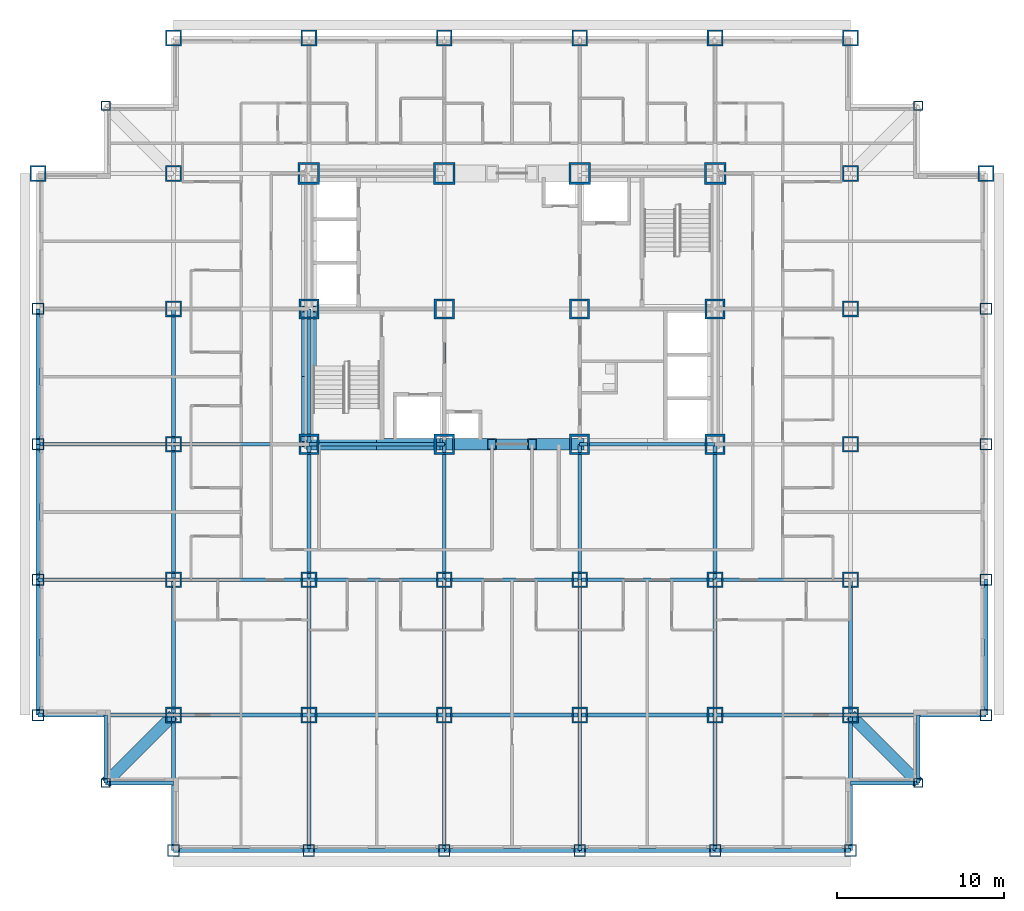
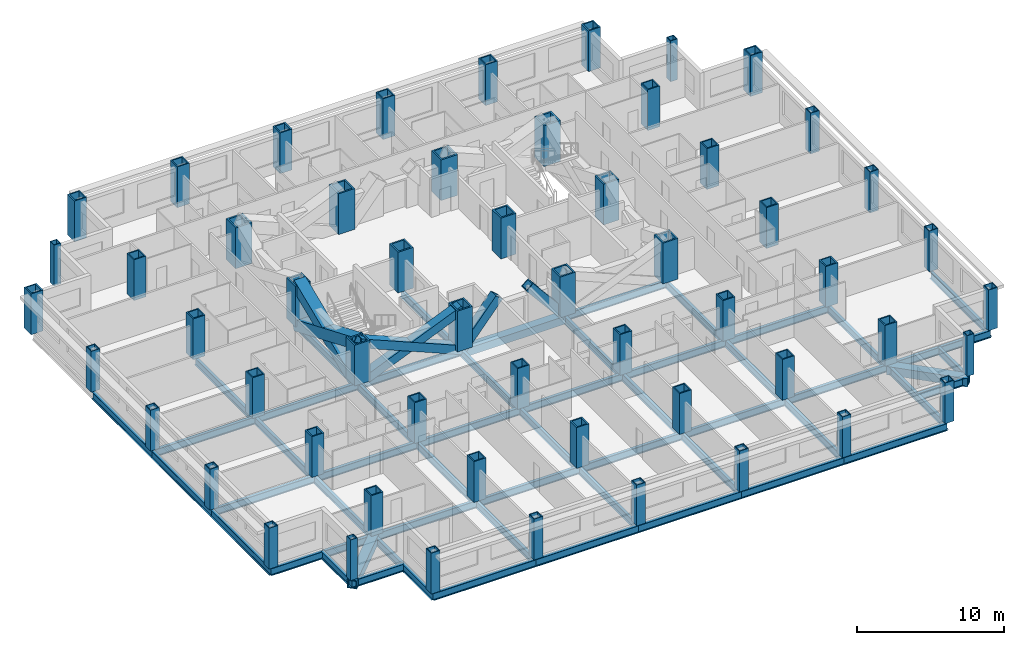
# One storey, part 1 of 12: 56 columns, 53 beams, 6 members.
"""IFC4 building model written with IfcOpenShell, lengths in metres."""

from ifc_helpers import new_model, si_unit, direction, frame, origin, origin_2d, place, context, subcontext, project, spatial, hollow_rectangle, i_section, extrude, material, material_profile, profile_set, type_object, element, save


model = new_model("IFC4")

# Units and contexts
model_context = context("Model", 3, precision=1e-05, world=origin(), true_north=direction((0.0, 1.0)))
body_context = subcontext(model_context, "Body", "Model", "MODEL_VIEW")
ifc_project = project(units=[si_unit("LENGTHUNIT", "METRE"), si_unit("AREAUNIT", "SQUARE_METRE"), si_unit("VOLUMEUNIT", "CUBIC_METRE"), si_unit("PLANEANGLEUNIT", "RADIAN"), si_unit("MASSUNIT", "GRAM", prefix="KILO")], contexts=[model_context])

# Site, building, storey
site_placement = place(None, origin())
site = spatial("IfcSite", under=ifc_project, at=site_placement, CompositionType="ELEMENT")
building_placement = place(site_placement, origin())
building = spatial("IfcBuilding", under=site, at=building_placement, Name="Kopane Lantern Tower", CompositionType="ELEMENT")
storey_placement = place(building_placement, frame((0.0, 0.0, 36.39990234375)))
storey = spatial("IfcBuildingStorey", under=building, at=storey_placement, Name="L07", CompositionType="ELEMENT", Elevation=36.39990234375)

# Columns
ifc_material_1 = material(Name="Steel S355JR", Category="steel")
ifc_material_profile_1 = material_profile(ifc_material_1, hollow_rectangle(XDim=1.199951171875, YDim=1.199951171875, WallThickness=0.1201171875, at=origin_2d()), Name="BOX 1200x1200x120")
ifc_profile_set_1 = profile_set([ifc_material_profile_1], Name="Steel S355JR")
column_type_1 = type_object("IfcColumnType", Name="COLUMN BOX 1200x1200x120", PredefinedType="COLUMN", material=ifc_profile_set_1)
for number, where, z_axis, x_axis, name in (
    (1, (16.199951171875, 24.300048828125, 0.0), (0.0, 0.0, 1.0), (1.0, 0.0, 0.0), "Column 4/E L07"),
    (2, (16.199951171875, 32.39990234375, 0.0), (0.0, 0.0, 1.0), (1.0, 0.0, 0.0), "Column 4/F L07"),
    (3, (24.300048828125, 24.300048828125, 0.0), (0.0, 0.0, 1.0), (1.0, 0.0, 0.0), "Column 5/E L07"),
    (4, (24.300048828125, 32.39990234375, 0.0), (0.0, 0.0, 1.0), (1.0, 0.0, 0.0), "Column 5/F L07"),
    (5, (32.39990234375, 24.300048828125, 0.0), (0.0, 0.0, 1.0), (1.0, 0.0, 0.0), "Column 6/E L07"),
    (6, (32.39990234375, 32.39990234375, 0.0), (0.0, 0.0, 1.0), (1.0, 0.0, 0.0), "Column 6/F L07"),
    (7, (40.5, 24.300048828125, 0.0), (0.0, 0.0, 1.0), (1.0, 0.0, 0.0), "Column 7/E L07"),
    (8, (40.5, 32.39990234375, 0.0), (0.0, 0.0, 1.0), (1.0, 0.0, 0.0), "Column 7/F L07"),
):
    element("IfcColumn", number, at=place(storey_placement, frame(where, z_axis=z_axis, x_axis=x_axis)), inside=storey, type_object=column_type_1, Name=name, PredefinedType="COLUMN", context=body_context, shape_type="SweptSolid", body=[
        extrude(hollow_rectangle(XDim=1.199951171875, YDim=1.199951171875, WallThickness=0.1201171875, at=origin_2d()), origin(), (0.0, 0.0, 1.0), 3.400146484375),
    ])
ifc_material_2 = material(Name="Steel S355JR", Category="steel")
ifc_material_profile_2 = material_profile(ifc_material_2, hollow_rectangle(XDim=1.300048828125, YDim=1.300048828125, WallThickness=0.1298828125, at=origin_2d()), Name="BOX 1300x1300x130")
ifc_profile_set_2 = profile_set([ifc_material_profile_2], Name="Steel S355JR")
column_type_2 = type_object("IfcColumnType", Name="COLUMN BOX 1300x1300x130", PredefinedType="COLUMN", material=ifc_profile_set_2)
for number, where, z_axis, x_axis, name in (
    (9, (16.199951171875, 40.5, 0.0), (0.0, 0.0, 1.0), (1.0, 0.0, 0.0), "Column 4/G L07"),
    (10, (24.300048828125, 40.5, 0.0), (0.0, 0.0, 1.0), (1.0, 0.0, 0.0), "Column 5/G L07"),
    (11, (32.39990234375, 40.5, 0.0), (0.0, 0.0, 1.0), (1.0, 0.0, 0.0), "Column 6/G L07"),
    (12, (40.5, 40.5, 0.0), (0.0, 0.0, 1.0), (1.0, 0.0, 0.0), "Column 7/G L07"),
):
    element("IfcColumn", number, at=place(storey_placement, frame(where, z_axis=z_axis, x_axis=x_axis)), inside=storey, type_object=column_type_2, Name=name, PredefinedType="COLUMN", context=body_context, shape_type="SweptSolid", body=[
        extrude(hollow_rectangle(XDim=1.300048828125, YDim=1.300048828125, WallThickness=0.1298828125, at=origin_2d()), origin(), (0.0, 0.0, 1.0), 3.400146484375),
    ])
ifc_material_3 = material(Name="Steel S355JR", Category="steel")
ifc_material_profile_3 = material_profile(ifc_material_3, hollow_rectangle(XDim=0.550048828125, YDim=0.550048828125, WallThickness=0.050048828125, at=origin_2d()), Name="BOX 550x550x50")
ifc_profile_set_3 = profile_set([ifc_material_profile_3], Name="Steel S355JR")
column_type_3 = type_object("IfcColumnType", Name="COLUMN BOX 550x550x50", PredefinedType="COLUMN", material=ifc_profile_set_3)
for number, where, z_axis, x_axis, name in (
    (13, (4.050048828125, 4.050048828125, 0.0), (0.0, 0.0, 1.0), (1.0, 0.0, 0.0), "Column 4.05/4.05 L07"),
    (14, (4.050048828125, 44.550048828125, 0.0), (0.0, 0.0, 1.0), (1.0, 0.0, 0.0), "Column 4.05/44.55 L07"),
    (15, (52.64990234375, 4.050048828125, 0.0), (0.0, 0.0, 1.0), (1.0, 0.0, 0.0), "Column 52.65/4.05 L07"),
    (16, (52.64990234375, 44.550048828125, 0.0), (0.0, 0.0, 1.0), (1.0, 0.0, 0.0), "Column 52.65/44.55 L07"),
):
    element("IfcColumn", number, at=place(storey_placement, frame(where, z_axis=z_axis, x_axis=x_axis)), inside=storey, type_object=column_type_3, Name=name, PredefinedType="COLUMN", context=body_context, shape_type="SweptSolid", body=[
        extrude(hollow_rectangle(XDim=0.550048828125, YDim=0.550048828125, WallThickness=0.050048828125, at=origin_2d()), origin(), (0.0, 0.0, 1.0), 3.400146484375),
    ])
ifc_material_4 = material(Name="Steel S355JR", Category="steel")
ifc_material_profile_4 = material_profile(ifc_material_4, hollow_rectangle(XDim=0.699951171875, YDim=0.699951171875, WallThickness=0.06005859375, at=origin_2d()), Name="BOX 700x700x60")
ifc_profile_set_4 = profile_set([ifc_material_profile_4], Name="Steel S355JR")
column_type_4 = type_object("IfcColumnType", Name="COLUMN BOX 700x700x60", PredefinedType="COLUMN", material=ifc_profile_set_4)
for number, where, z_axis, x_axis, name in (
    (17, (0.0, 8.10009765625, 0.0), (0.0, 0.0, 1.0), (1.0, 0.0, 0.0), "Column 2/C L07"),
    (18, (0.0, 16.199951171875, 0.0), (0.0, 0.0, 1.0), (1.0, 0.0, 0.0), "Column 2/D L07"),
    (19, (0.0, 24.300048828125, 0.0), (0.0, 0.0, 1.0), (1.0, 0.0, 0.0), "Column 2/E L07"),
    (20, (0.0, 32.39990234375, 0.0), (0.0, 0.0, 1.0), (1.0, 0.0, 0.0), "Column 2/F L07"),
    (21, (8.10009765625, 0.0, 0.0), (0.0, 0.0, 1.0), (1.0, 0.0, 0.0), "Column 3/B L07"),
    (22, (16.199951171875, 0.0, 0.0), (0.0, 0.0, 1.0), (1.0, 0.0, 0.0), "Column 4/B L07"),
    (23, (24.300048828125, 0.0, 0.0), (0.0, 0.0, 1.0), (1.0, 0.0, 0.0), "Column 5/B L07"),
    (24, (32.39990234375, 0.0, 0.0), (0.0, 0.0, 1.0), (1.0, 0.0, 0.0), "Column 6/B L07"),
    (25, (40.5, 0.0, 0.0), (0.0, 0.0, 1.0), (1.0, 0.0, 0.0), "Column 7/B L07"),
    (26, (48.60009765625, 0.0, 0.0), (0.0, 0.0, 1.0), (1.0, 0.0, 0.0), "Column 8/B L07"),
    (27, (56.699951171875, 8.10009765625, 0.0), (0.0, 0.0, 1.0), (1.0, 0.0, 0.0), "Column 9/C L07"),
    (28, (56.699951171875, 16.199951171875, 0.0), (0.0, 0.0, 1.0), (1.0, 0.0, 0.0), "Column 9/D L07"),
    (29, (56.699951171875, 24.300048828125, 0.0), (0.0, 0.0, 1.0), (1.0, 0.0, 0.0), "Column 9/E L07"),
    (30, (56.699951171875, 32.39990234375, 0.0), (0.0, 0.0, 1.0), (1.0, 0.0, 0.0), "Column 9/F L07"),
):
    element("IfcColumn", number, at=place(storey_placement, frame(where, z_axis=z_axis, x_axis=x_axis)), inside=storey, type_object=column_type_4, Name=name, PredefinedType="COLUMN", context=body_context, shape_type="SweptSolid", body=[
        extrude(hollow_rectangle(XDim=0.699951171875, YDim=0.699951171875, WallThickness=0.06005859375, at=origin_2d()), origin(), (0.0, 0.0, 1.0), 3.400146484375),
    ])
ifc_material_5 = material(Name="Steel S355JR", Category="steel")
ifc_material_profile_5 = material_profile(ifc_material_5, hollow_rectangle(XDim=0.949951171875, YDim=0.949951171875, WallThickness=0.094970703125, at=origin_2d()), Name="BOX 950x950x95")
ifc_profile_set_5 = profile_set([ifc_material_profile_5], Name="Steel S355JR")
column_type_5 = type_object("IfcColumnType", Name="COLUMN BOX 950x950x95", PredefinedType="COLUMN", material=ifc_profile_set_5)
for number, where, z_axis, x_axis, name in (
    (31, (0.0, 40.5, 0.0), (0.0, 0.0, 1.0), (1.0, 0.0, 0.0), "Column 2/G L07"),
    (32, (8.10009765625, 8.10009765625, 0.0), (0.0, 0.0, 1.0), (1.0, 0.0, 0.0), "Column 3/C L07"),
    (33, (8.10009765625, 16.199951171875, 0.0), (0.0, 0.0, 1.0), (1.0, 0.0, 0.0), "Column 3/D L07"),
    (34, (8.10009765625, 24.300048828125, 0.0), (0.0, 0.0, 1.0), (1.0, 0.0, 0.0), "Column 3/E L07"),
    (35, (8.10009765625, 32.39990234375, 0.0), (0.0, 0.0, 1.0), (1.0, 0.0, 0.0), "Column 3/F L07"),
    (36, (8.10009765625, 40.5, 0.0), (0.0, 0.0, 1.0), (1.0, 0.0, 0.0), "Column 3/G L07"),
    (37, (8.10009765625, 48.60009765625, 0.0), (0.0, 0.0, 1.0), (1.0, 0.0, 0.0), "Column 3/H L07"),
    (38, (16.199951171875, 8.10009765625, 0.0), (0.0, 0.0, 1.0), (1.0, 0.0, 0.0), "Column 4/C L07"),
    (39, (16.199951171875, 16.199951171875, 0.0), (0.0, 0.0, 1.0), (1.0, 0.0, 0.0), "Column 4/D L07"),
    (40, (16.199951171875, 48.60009765625, 0.0), (0.0, 0.0, 1.0), (1.0, 0.0, 0.0), "Column 4/H L07"),
    (41, (24.300048828125, 8.10009765625, 0.0), (0.0, 0.0, 1.0), (1.0, 0.0, 0.0), "Column 5/C L07"),
    (42, (24.300048828125, 16.199951171875, 0.0), (0.0, 0.0, 1.0), (1.0, 0.0, 0.0), "Column 5/D L07"),
    (43, (24.300048828125, 48.60009765625, 0.0), (0.0, 0.0, 1.0), (1.0, 0.0, 0.0), "Column 5/H L07"),
    (44, (32.39990234375, 8.10009765625, 0.0), (0.0, 0.0, 1.0), (1.0, 0.0, 0.0), "Column 6/C L07"),
    (45, (32.39990234375, 16.199951171875, 0.0), (0.0, 0.0, 1.0), (1.0, 0.0, 0.0), "Column 6/D L07"),
    (46, (32.39990234375, 48.60009765625, 0.0), (0.0, 0.0, 1.0), (1.0, 0.0, 0.0), "Column 6/H L07"),
    (47, (40.5, 8.10009765625, 0.0), (0.0, 0.0, 1.0), (1.0, 0.0, 0.0), "Column 7/C L07"),
    (48, (40.5, 16.199951171875, 0.0), (0.0, 0.0, 1.0), (1.0, 0.0, 0.0), "Column 7/D L07"),
    (49, (40.5, 48.60009765625, 0.0), (0.0, 0.0, 1.0), (1.0, 0.0, 0.0), "Column 7/H L07"),
    (50, (48.60009765625, 8.10009765625, 0.0), (0.0, 0.0, 1.0), (1.0, 0.0, 0.0), "Column 8/C L07"),
    (51, (48.60009765625, 16.199951171875, 0.0), (0.0, 0.0, 1.0), (1.0, 0.0, 0.0), "Column 8/D L07"),
    (52, (48.60009765625, 24.300048828125, 0.0), (0.0, 0.0, 1.0), (1.0, 0.0, 0.0), "Column 8/E L07"),
    (53, (48.60009765625, 32.39990234375, 0.0), (0.0, 0.0, 1.0), (1.0, 0.0, 0.0), "Column 8/F L07"),
    (54, (48.60009765625, 40.5, 0.0), (0.0, 0.0, 1.0), (1.0, 0.0, 0.0), "Column 8/G L07"),
    (55, (48.60009765625, 48.60009765625, 0.0), (0.0, 0.0, 1.0), (1.0, 0.0, 0.0), "Column 8/H L07"),
    (56, (56.699951171875, 40.5, 0.0), (0.0, 0.0, 1.0), (1.0, 0.0, 0.0), "Column 9/G L07"),
):
    element("IfcColumn", number, at=place(storey_placement, frame(where, z_axis=z_axis, x_axis=x_axis)), inside=storey, type_object=column_type_5, Name=name, PredefinedType="COLUMN", context=body_context, shape_type="SweptSolid", body=[
        extrude(hollow_rectangle(XDim=0.949951171875, YDim=0.949951171875, WallThickness=0.094970703125, at=origin_2d()), origin(), (0.0, 0.0, 1.0), 3.400146484375),
    ])

# Members
ifc_material_6 = material(Name="Steel S355JR", Category="steel")
ifc_material_profile_6 = material_profile(ifc_material_6, hollow_rectangle(XDim=0.699951171875, YDim=0.699951171875, WallThickness=0.06005859375, at=origin_2d()), Name="BOX 700x700x60")
ifc_profile_set_6 = profile_set([ifc_material_profile_6], Name="Steel S355JR")
member_type_1 = type_object("IfcMemberType", Name="BRACE BOX 700x700x60", PredefinedType="BRACE", material=ifc_profile_set_6)
for number, where, z_axis, x_axis, name in (
    (57, (16.199951171875, 24.300048828125, -0.2099609375), (0.92205908274, 0.0, 0.387049154419), (0.0, 1.0, 0.0), "Core brace L07"),
    (58, (24.300048828125, 24.300048828125, -0.2099609375), (-0.92205908274, 0.0, 0.387049154419), (0.0, -1.0, 0.0), "Core brace L07"),
):
    element("IfcMember", number, at=place(storey_placement, frame(where, z_axis=z_axis, x_axis=x_axis)), inside=storey, type_object=member_type_1, Name=name, PredefinedType="BRACE", context=body_context, shape_type="SweptSolid", body=[
        extrude(hollow_rectangle(XDim=0.699951171875, YDim=0.699951171875, WallThickness=0.06005859375, at=origin_2d()), origin(), (0.0, 0.0, 1.0), 8.784912109375),
    ])
for number, where, z_axis, x_axis, name in (
    (59, (24.300048828125, 24.300048828125, -0.2099609375), (0.642363165114, 0.0, 0.766400394118), (0.0, 1.0, 0.0), "Core brace L07"),
    (60, (32.39990234375, 24.300048828125, -0.2099609375), (-0.642363165114, 0.0, 0.766400394118), (0.0, -1.0, 0.0), "Core brace L07"),
):
    element("IfcMember", number, at=place(storey_placement, frame(where, z_axis=z_axis, x_axis=x_axis)), inside=storey, type_object=member_type_1, Name=name, PredefinedType="BRACE", context=body_context, shape_type="SweptSolid", body=[
        extrude(hollow_rectangle(XDim=0.699951171875, YDim=0.699951171875, WallThickness=0.06005859375, at=origin_2d()), origin(), (0.0, 0.0, 1.0), 4.4365234375),
    ])
ifc_material_7 = material(Name="Steel S355JR", Category="steel")
ifc_material_profile_7 = material_profile(ifc_material_7, hollow_rectangle(XDim=0.89990234375, YDim=0.89990234375, WallThickness=0.090087890625, at=origin_2d()), Name="BOX 900x900x90")
ifc_profile_set_7 = profile_set([ifc_material_profile_7], Name="Steel S355JR")
member_type_2 = type_object("IfcMemberType", Name="BRACE BOX 900x900x90", PredefinedType="BRACE", material=ifc_profile_set_7)
for number, where, z_axis, x_axis, name in (
    (61, (16.199951171875, 24.300048828125, -0.2099609375), (0.0, 0.92205491925, 0.387059072864), (-1.0, 0.0, 0.0), "Core brace L07"),
    (62, (16.199951171875, 32.39990234375, -0.2099609375), (0.0, -0.92205491925, 0.387059072864), (1.0, 0.0, 0.0), "Core brace L07"),
):
    element("IfcMember", number, at=place(storey_placement, frame(where, z_axis=z_axis, x_axis=x_axis)), inside=storey, type_object=member_type_2, Name=name, PredefinedType="BRACE", context=body_context, shape_type="SweptSolid", body=[
        extrude(hollow_rectangle(XDim=0.89990234375, YDim=0.89990234375, WallThickness=0.090087890625, at=origin_2d()), origin(), (0.0, 0.0, 1.0), 8.78466796875),
    ])

# Beams
ifc_material_8 = material(Name="Steel S355JR", Category="steel")
ifc_material_profile_8 = material_profile(ifc_material_8, i_section(OverallWidth=0.22900390625, OverallDepth=0.6123046875, WebThickness=0.011962890625, FlangeThickness=0.01953125, FilletRadius=0.0126953125, at=origin_2d()), Name="UB 610x229x125")
ifc_profile_set_8 = profile_set([ifc_material_profile_8], Name="Steel S355JR")
beam_type_1 = type_object("IfcBeamType", Name="CORE BEAM UB 610x229x125", PredefinedType="BEAM", material=ifc_profile_set_8)
beam_1_placement = place(storey_placement, frame((24.300048828125, 24.300048828125, -0.51611328125), z_axis=(0.0, 1.0, 0.0), x_axis=(-1.0, 0.0, 0.0)))
element("IfcBeam", 63, at=beam_1_placement, inside=storey, type_object=beam_type_1, Name="Core Beam L07", PredefinedType="BEAM", context=body_context, shape_type="SweptSolid", body=[
    extrude(i_section(OverallWidth=0.22900390625, OverallDepth=0.6123046875, WebThickness=0.011962890625, FlangeThickness=0.01953125, FilletRadius=0.0126953125, at=origin_2d()), origin(), (0.0, 0.0, 1.0), 8.099853515625),
])
ifc_material_9 = material(Name="Steel S355JR", Category="steel")
ifc_material_profile_9 = material_profile(ifc_material_9, hollow_rectangle(XDim=0.699951171875, YDim=0.699951171875, WallThickness=0.06005859375, at=origin_2d()), Name="BOX 700x700x60")
ifc_profile_set_9 = profile_set([ifc_material_profile_9], Name="Steel S355JR")
beam_type_2 = type_object("IfcBeamType", Name="CORNER TIE BEAM BOX 700x700x60", PredefinedType="BEAM", material=ifc_profile_set_9)
for number, where, z_axis, x_axis, name in (
    (64, (4.050048828125, 4.050048828125, -0.559814453125), (0.707106781187, 0.707106781187, 0.0), (-0.707106781187, 0.707106781187, 0.0), "Corner Tie Beam L07"),
    (65, (52.64990234375, 4.050048828125, -0.559814453125), (-0.707085467703, 0.707128094028, 0.0), (-0.707128094028, -0.707085467703, 0.0), "Corner Tie Beam L07"),
):
    element("IfcBeam", number, at=place(storey_placement, frame(where, z_axis=z_axis, x_axis=x_axis)), inside=storey, type_object=beam_type_2, Name=name, PredefinedType="BEAM", context=body_context, shape_type="SweptSolid", body=[
        extrude(hollow_rectangle(XDim=0.699951171875, YDim=0.699951171875, WallThickness=0.06005859375, at=origin_2d()), origin(), (0.0, 0.0, 1.0), 5.7275390625),
    ])
ifc_material_10 = material(Name="Steel S355JR", Category="steel")
ifc_material_profile_10 = material_profile(ifc_material_10, i_section(OverallWidth=0.22900390625, OverallDepth=0.6123046875, WebThickness=0.011962890625, FlangeThickness=0.01953125, FilletRadius=0.0126953125, at=origin_2d()), Name="UB 610x229x125")
ifc_profile_set_10 = profile_set([ifc_material_profile_10], Name="Steel S355JR")
beam_type_3 = type_object("IfcBeamType", Name="EDGE BEAM UB 610x229x125", PredefinedType="BEAM", material=ifc_profile_set_10)
for number, where, z_axis, x_axis, name in (
    (66, (4.050048828125, 4.050048828125, -0.51611328125), (0.0, 1.0, 0.0), (-1.0, 0.0, 0.0), "Edge Beam L07"),
    (67, (4.050048828125, 4.050048828125, -0.51611328125), (1.0, 0.0, 0.0), (0.0, 1.0, 0.0), "Edge Beam L07"),
):
    element("IfcBeam", number, at=place(storey_placement, frame(where, z_axis=z_axis, x_axis=x_axis)), inside=storey, type_object=beam_type_3, Name=name, PredefinedType="BEAM", context=body_context, shape_type="SweptSolid", body=[
        extrude(i_section(OverallWidth=0.22900390625, OverallDepth=0.6123046875, WebThickness=0.011962890625, FlangeThickness=0.01953125, FilletRadius=0.0126953125, at=origin_2d()), origin(), (0.0, 0.0, 1.0), 4.050048828125),
    ])
beam_2_placement = place(storey_placement, frame((52.64990234375, 4.050048828125, -0.51611328125), z_axis=(-1.0, 0.0, 0.0), x_axis=(0.0, -1.0, 0.0)))
element("IfcBeam", 68, at=beam_2_placement, inside=storey, type_object=beam_type_3, Name="Edge Beam L07", PredefinedType="BEAM", context=body_context, shape_type="SweptSolid", body=[
    extrude(i_section(OverallWidth=0.22900390625, OverallDepth=0.6123046875, WebThickness=0.011962890625, FlangeThickness=0.01953125, FilletRadius=0.0126953125, at=origin_2d()), origin(), (0.0, 0.0, 1.0), 4.0498046875),
])
beam_3_placement = place(storey_placement, frame((52.64990234375, 4.050048828125, -0.51611328125), z_axis=(0.0, 1.0, 0.0), x_axis=(-1.0, 0.0, 0.0)))
element("IfcBeam", 69, at=beam_3_placement, inside=storey, type_object=beam_type_3, Name="Edge Beam L07", PredefinedType="BEAM", context=body_context, shape_type="SweptSolid", body=[
    extrude(i_section(OverallWidth=0.22900390625, OverallDepth=0.6123046875, WebThickness=0.011962890625, FlangeThickness=0.01953125, FilletRadius=0.0126953125, at=origin_2d()), origin(), (0.0, 0.0, 1.0), 4.050048828125),
])
ifc_material_11 = material(Name="Steel S355JR", Category="steel")
ifc_material_profile_11 = material_profile(ifc_material_11, i_section(OverallWidth=0.22900390625, OverallDepth=0.6123046875, WebThickness=0.011962890625, FlangeThickness=0.01953125, FilletRadius=0.0126953125, at=origin_2d()), Name="UB 610x229x125")
ifc_profile_set_11 = profile_set([ifc_material_profile_11], Name="Steel S355JR")
beam_type_4 = type_object("IfcBeamType", Name="GIRDER UB 610x229x125", PredefinedType="BEAM", material=ifc_profile_set_11)
beam_4_placement = place(storey_placement, frame((0.0, 8.10009765625, -0.51611328125), z_axis=(0.0, 1.0, 0.0), x_axis=(-1.0, 0.0, 0.0)))
element("IfcBeam", 70, at=beam_4_placement, inside=storey, type_object=beam_type_4, Name="Girder L07", PredefinedType="BEAM", context=body_context, shape_type="SweptSolid", body=[
    extrude(i_section(OverallWidth=0.22900390625, OverallDepth=0.6123046875, WebThickness=0.011962890625, FlangeThickness=0.01953125, FilletRadius=0.0126953125, at=origin_2d()), origin(), (0.0, 0.0, 1.0), 8.099853515625),
])
for number, where, z_axis, x_axis, name in (
    (71, (0.0, 8.10009765625, -0.51611328125), (1.0, 0.0, 0.0), (0.0, 1.0, 0.0), "Girder L07"),
    (72, (0.0, 16.199951171875, -0.51611328125), (0.0, 1.0, 0.0), (-1.0, 0.0, 0.0), "Girder L07"),
    (73, (0.0, 16.199951171875, -0.51611328125), (1.0, 0.0, 0.0), (0.0, 1.0, 0.0), "Girder L07"),
):
    element("IfcBeam", number, at=place(storey_placement, frame(where, z_axis=z_axis, x_axis=x_axis)), inside=storey, type_object=beam_type_4, Name=name, PredefinedType="BEAM", context=body_context, shape_type="SweptSolid", body=[
        extrude(i_section(OverallWidth=0.22900390625, OverallDepth=0.6123046875, WebThickness=0.011962890625, FlangeThickness=0.01953125, FilletRadius=0.0126953125, at=origin_2d()), origin(), (0.0, 0.0, 1.0), 8.10009765625),
    ])
beam_5_placement = place(storey_placement, frame((0.0, 24.300048828125, -0.51611328125), z_axis=(0.0, 1.0, 0.0), x_axis=(-1.0, 0.0, 0.0)))
element("IfcBeam", 74, at=beam_5_placement, inside=storey, type_object=beam_type_4, Name="Girder L07", PredefinedType="BEAM", context=body_context, shape_type="SweptSolid", body=[
    extrude(i_section(OverallWidth=0.22900390625, OverallDepth=0.6123046875, WebThickness=0.011962890625, FlangeThickness=0.01953125, FilletRadius=0.0126953125, at=origin_2d()), origin(), (0.0, 0.0, 1.0), 8.099853515625),
])
for number, where, z_axis, x_axis, name in (
    (75, (0.0, 24.300048828125, -0.51611328125), (1.0, 0.0, 0.0), (0.0, 1.0, 0.0), "Girder L07"),
    (76, (8.10009765625, 0.0, -0.51611328125), (0.0, 1.0, 0.0), (-1.0, 0.0, 0.0), "Girder L07"),
):
    element("IfcBeam", number, at=place(storey_placement, frame(where, z_axis=z_axis, x_axis=x_axis)), inside=storey, type_object=beam_type_4, Name=name, PredefinedType="BEAM", context=body_context, shape_type="SweptSolid", body=[
        extrude(i_section(OverallWidth=0.22900390625, OverallDepth=0.6123046875, WebThickness=0.011962890625, FlangeThickness=0.01953125, FilletRadius=0.0126953125, at=origin_2d()), origin(), (0.0, 0.0, 1.0), 8.10009765625),
    ])
for number, where, z_axis, x_axis, name in (
    (77, (8.10009765625, 0.0, -0.51611328125), (1.0, 0.0, 0.0), (0.0, 1.0, 0.0), "Girder L07"),
    (78, (8.10009765625, 8.10009765625, -0.51611328125), (0.0, 1.0, 0.0), (-1.0, 0.0, 0.0), "Girder L07"),
    (79, (8.10009765625, 8.10009765625, -0.51611328125), (1.0, 0.0, 0.0), (0.0, 1.0, 0.0), "Girder L07"),
):
    element("IfcBeam", number, at=place(storey_placement, frame(where, z_axis=z_axis, x_axis=x_axis)), inside=storey, type_object=beam_type_4, Name=name, PredefinedType="BEAM", context=body_context, shape_type="SweptSolid", body=[
        extrude(i_section(OverallWidth=0.22900390625, OverallDepth=0.6123046875, WebThickness=0.011962890625, FlangeThickness=0.01953125, FilletRadius=0.0126953125, at=origin_2d()), origin(), (0.0, 0.0, 1.0), 8.099853515625),
    ])
beam_6_placement = place(storey_placement, frame((8.10009765625, 16.199951171875, -0.51611328125), z_axis=(0.0, 1.0, 0.0), x_axis=(-1.0, 0.0, 0.0)))
element("IfcBeam", 80, at=beam_6_placement, inside=storey, type_object=beam_type_4, Name="Girder L07", PredefinedType="BEAM", context=body_context, shape_type="SweptSolid", body=[
    extrude(i_section(OverallWidth=0.22900390625, OverallDepth=0.6123046875, WebThickness=0.011962890625, FlangeThickness=0.01953125, FilletRadius=0.0126953125, at=origin_2d()), origin(), (0.0, 0.0, 1.0), 8.10009765625),
])
for number, where, z_axis, x_axis, name in (
    (81, (8.10009765625, 16.199951171875, -0.51611328125), (1.0, 0.0, 0.0), (0.0, 1.0, 0.0), "Girder L07"),
    (82, (8.10009765625, 24.300048828125, -0.51611328125), (0.0, 1.0, 0.0), (-1.0, 0.0, 0.0), "Girder L07"),
    (83, (8.10009765625, 24.300048828125, -0.51611328125), (1.0, 0.0, 0.0), (0.0, 1.0, 0.0), "Girder L07"),
):
    element("IfcBeam", number, at=place(storey_placement, frame(where, z_axis=z_axis, x_axis=x_axis)), inside=storey, type_object=beam_type_4, Name=name, PredefinedType="BEAM", context=body_context, shape_type="SweptSolid", body=[
        extrude(i_section(OverallWidth=0.22900390625, OverallDepth=0.6123046875, WebThickness=0.011962890625, FlangeThickness=0.01953125, FilletRadius=0.0126953125, at=origin_2d()), origin(), (0.0, 0.0, 1.0), 8.099853515625),
    ])
for number, where, z_axis, x_axis, name in (
    (84, (16.199951171875, 0.0, -0.51611328125), (0.0, 1.0, 0.0), (-1.0, 0.0, 0.0), "Girder L07"),
    (85, (16.199951171875, 0.0, -0.51611328125), (1.0, 0.0, 0.0), (0.0, 1.0, 0.0), "Girder L07"),
):
    element("IfcBeam", number, at=place(storey_placement, frame(where, z_axis=z_axis, x_axis=x_axis)), inside=storey, type_object=beam_type_4, Name=name, PredefinedType="BEAM", context=body_context, shape_type="SweptSolid", body=[
        extrude(i_section(OverallWidth=0.22900390625, OverallDepth=0.6123046875, WebThickness=0.011962890625, FlangeThickness=0.01953125, FilletRadius=0.0126953125, at=origin_2d()), origin(), (0.0, 0.0, 1.0), 8.10009765625),
    ])
beam_7_placement = place(storey_placement, frame((16.199951171875, 8.10009765625, -0.51611328125), z_axis=(0.0, 1.0, 0.0), x_axis=(-1.0, 0.0, 0.0)))
element("IfcBeam", 86, at=beam_7_placement, inside=storey, type_object=beam_type_4, Name="Girder L07", PredefinedType="BEAM", context=body_context, shape_type="SweptSolid", body=[
    extrude(i_section(OverallWidth=0.22900390625, OverallDepth=0.6123046875, WebThickness=0.011962890625, FlangeThickness=0.01953125, FilletRadius=0.0126953125, at=origin_2d()), origin(), (0.0, 0.0, 1.0), 8.099853515625),
])
for number, where, z_axis, x_axis, name in (
    (87, (16.199951171875, 8.10009765625, -0.51611328125), (1.0, 0.0, 0.0), (0.0, 1.0, 0.0), "Girder L07"),
    (88, (16.199951171875, 16.199951171875, -0.51611328125), (0.0, 1.0, 0.0), (-1.0, 0.0, 0.0), "Girder L07"),
    (89, (16.199951171875, 16.199951171875, -0.51611328125), (1.0, 0.0, 0.0), (0.0, 1.0, 0.0), "Girder L07"),
):
    element("IfcBeam", number, at=place(storey_placement, frame(where, z_axis=z_axis, x_axis=x_axis)), inside=storey, type_object=beam_type_4, Name=name, PredefinedType="BEAM", context=body_context, shape_type="SweptSolid", body=[
        extrude(i_section(OverallWidth=0.22900390625, OverallDepth=0.6123046875, WebThickness=0.011962890625, FlangeThickness=0.01953125, FilletRadius=0.0126953125, at=origin_2d()), origin(), (0.0, 0.0, 1.0), 8.10009765625),
    ])
beam_8_placement = place(storey_placement, frame((16.199951171875, 24.300048828125, -0.51611328125), z_axis=(0.0, 1.0, 0.0), x_axis=(-1.0, 0.0, 0.0)))
element("IfcBeam", 90, at=beam_8_placement, inside=storey, type_object=beam_type_4, Name="Girder L07", PredefinedType="BEAM", context=body_context, shape_type="SweptSolid", body=[
    extrude(i_section(OverallWidth=0.22900390625, OverallDepth=0.6123046875, WebThickness=0.011962890625, FlangeThickness=0.01953125, FilletRadius=0.0126953125, at=origin_2d()), origin(), (0.0, 0.0, 1.0), 8.099853515625),
])
for number, where, z_axis, x_axis, name in (
    (91, (16.199951171875, 24.300048828125, -0.51611328125), (1.0, 0.0, 0.0), (0.0, 1.0, 0.0), "Girder L07"),
    (92, (24.300048828125, 0.0, -0.51611328125), (0.0, 1.0, 0.0), (-1.0, 0.0, 0.0), "Girder L07"),
):
    element("IfcBeam", number, at=place(storey_placement, frame(where, z_axis=z_axis, x_axis=x_axis)), inside=storey, type_object=beam_type_4, Name=name, PredefinedType="BEAM", context=body_context, shape_type="SweptSolid", body=[
        extrude(i_section(OverallWidth=0.22900390625, OverallDepth=0.6123046875, WebThickness=0.011962890625, FlangeThickness=0.01953125, FilletRadius=0.0126953125, at=origin_2d()), origin(), (0.0, 0.0, 1.0), 8.10009765625),
    ])
for number, where, z_axis, x_axis, name in (
    (93, (24.300048828125, 0.0, -0.51611328125), (1.0, 0.0, 0.0), (0.0, 1.0, 0.0), "Girder L07"),
    (94, (24.300048828125, 8.10009765625, -0.51611328125), (0.0, 1.0, 0.0), (-1.0, 0.0, 0.0), "Girder L07"),
    (95, (24.300048828125, 8.10009765625, -0.51611328125), (1.0, 0.0, 0.0), (0.0, 1.0, 0.0), "Girder L07"),
):
    element("IfcBeam", number, at=place(storey_placement, frame(where, z_axis=z_axis, x_axis=x_axis)), inside=storey, type_object=beam_type_4, Name=name, PredefinedType="BEAM", context=body_context, shape_type="SweptSolid", body=[
        extrude(i_section(OverallWidth=0.22900390625, OverallDepth=0.6123046875, WebThickness=0.011962890625, FlangeThickness=0.01953125, FilletRadius=0.0126953125, at=origin_2d()), origin(), (0.0, 0.0, 1.0), 8.099853515625),
    ])
beam_9_placement = place(storey_placement, frame((24.300048828125, 16.199951171875, -0.51611328125), z_axis=(0.0, 1.0, 0.0), x_axis=(-1.0, 0.0, 0.0)))
element("IfcBeam", 96, at=beam_9_placement, inside=storey, type_object=beam_type_4, Name="Girder L07", PredefinedType="BEAM", context=body_context, shape_type="SweptSolid", body=[
    extrude(i_section(OverallWidth=0.22900390625, OverallDepth=0.6123046875, WebThickness=0.011962890625, FlangeThickness=0.01953125, FilletRadius=0.0126953125, at=origin_2d()), origin(), (0.0, 0.0, 1.0), 8.10009765625),
])
beam_10_placement = place(storey_placement, frame((24.300048828125, 16.199951171875, -0.51611328125), z_axis=(1.0, 0.0, 0.0), x_axis=(0.0, 1.0, 0.0)))
element("IfcBeam", 97, at=beam_10_placement, inside=storey, type_object=beam_type_4, Name="Girder L07", PredefinedType="BEAM", context=body_context, shape_type="SweptSolid", body=[
    extrude(i_section(OverallWidth=0.22900390625, OverallDepth=0.6123046875, WebThickness=0.011962890625, FlangeThickness=0.01953125, FilletRadius=0.0126953125, at=origin_2d()), origin(), (0.0, 0.0, 1.0), 8.099853515625),
])
for number, where, z_axis, x_axis, name in (
    (98, (32.39990234375, 0.0, -0.51611328125), (0.0, 1.0, 0.0), (-1.0, 0.0, 0.0), "Girder L07"),
    (99, (32.39990234375, 0.0, -0.51611328125), (1.0, 0.0, 0.0), (0.0, 1.0, 0.0), "Girder L07"),
):
    element("IfcBeam", number, at=place(storey_placement, frame(where, z_axis=z_axis, x_axis=x_axis)), inside=storey, type_object=beam_type_4, Name=name, PredefinedType="BEAM", context=body_context, shape_type="SweptSolid", body=[
        extrude(i_section(OverallWidth=0.22900390625, OverallDepth=0.6123046875, WebThickness=0.011962890625, FlangeThickness=0.01953125, FilletRadius=0.0126953125, at=origin_2d()), origin(), (0.0, 0.0, 1.0), 8.10009765625),
    ])
beam_11_placement = place(storey_placement, frame((32.39990234375, 8.10009765625, -0.51611328125), z_axis=(0.0, 1.0, 0.0), x_axis=(-1.0, 0.0, 0.0)))
element("IfcBeam", 100, at=beam_11_placement, inside=storey, type_object=beam_type_4, Name="Girder L07", PredefinedType="BEAM", context=body_context, shape_type="SweptSolid", body=[
    extrude(i_section(OverallWidth=0.22900390625, OverallDepth=0.6123046875, WebThickness=0.011962890625, FlangeThickness=0.01953125, FilletRadius=0.0126953125, at=origin_2d()), origin(), (0.0, 0.0, 1.0), 8.099853515625),
])
for number, where, z_axis, x_axis, name in (
    (101, (32.39990234375, 8.10009765625, -0.51611328125), (1.0, 0.0, 0.0), (0.0, 1.0, 0.0), "Girder L07"),
    (102, (32.39990234375, 16.199951171875, -0.51611328125), (0.0, 1.0, 0.0), (-1.0, 0.0, 0.0), "Girder L07"),
    (103, (32.39990234375, 16.199951171875, -0.51611328125), (1.0, 0.0, 0.0), (0.0, 1.0, 0.0), "Girder L07"),
    (104, (32.39990234375, 24.300048828125, -0.51611328125), (1.0, 0.0, 0.0), (0.0, 1.0, 0.0), "Girder L07"),
    (105, (40.5, 0.0, -0.51611328125), (0.0, 1.0, 0.0), (-1.0, 0.0, 0.0), "Girder L07"),
    (106, (40.5, 0.0, -0.51611328125), (1.0, 0.0, 0.0), (0.0, 1.0, 0.0), "Girder L07"),
):
    element("IfcBeam", number, at=place(storey_placement, frame(where, z_axis=z_axis, x_axis=x_axis)), inside=storey, type_object=beam_type_4, Name=name, PredefinedType="BEAM", context=body_context, shape_type="SweptSolid", body=[
        extrude(i_section(OverallWidth=0.22900390625, OverallDepth=0.6123046875, WebThickness=0.011962890625, FlangeThickness=0.01953125, FilletRadius=0.0126953125, at=origin_2d()), origin(), (0.0, 0.0, 1.0), 8.10009765625),
    ])
beam_12_placement = place(storey_placement, frame((40.5, 8.10009765625, -0.51611328125), z_axis=(0.0, 1.0, 0.0), x_axis=(-1.0, 0.0, 0.0)))
element("IfcBeam", 107, at=beam_12_placement, inside=storey, type_object=beam_type_4, Name="Girder L07", PredefinedType="BEAM", context=body_context, shape_type="SweptSolid", body=[
    extrude(i_section(OverallWidth=0.22900390625, OverallDepth=0.6123046875, WebThickness=0.011962890625, FlangeThickness=0.01953125, FilletRadius=0.0126953125, at=origin_2d()), origin(), (0.0, 0.0, 1.0), 8.099853515625),
])
for number, where, z_axis, x_axis, name in (
    (108, (40.5, 8.10009765625, -0.51611328125), (1.0, 0.0, 0.0), (0.0, 1.0, 0.0), "Girder L07"),
    (109, (40.5, 16.199951171875, -0.51611328125), (0.0, 1.0, 0.0), (-1.0, 0.0, 0.0), "Girder L07"),
    (110, (40.5, 16.199951171875, -0.51611328125), (1.0, 0.0, 0.0), (0.0, 1.0, 0.0), "Girder L07"),
    (111, (48.60009765625, 0.0, -0.51611328125), (0.0, 1.0, 0.0), (-1.0, 0.0, 0.0), "Girder L07"),
):
    element("IfcBeam", number, at=place(storey_placement, frame(where, z_axis=z_axis, x_axis=x_axis)), inside=storey, type_object=beam_type_4, Name=name, PredefinedType="BEAM", context=body_context, shape_type="SweptSolid", body=[
        extrude(i_section(OverallWidth=0.22900390625, OverallDepth=0.6123046875, WebThickness=0.011962890625, FlangeThickness=0.01953125, FilletRadius=0.0126953125, at=origin_2d()), origin(), (0.0, 0.0, 1.0), 8.10009765625),
    ])
for number, where, z_axis, x_axis, name in (
    (112, (48.60009765625, 8.10009765625, -0.51611328125), (0.0, 1.0, 0.0), (-1.0, 0.0, 0.0), "Girder L07"),
    (113, (48.60009765625, 8.10009765625, -0.51611328125), (1.0, 0.0, 0.0), (0.0, 1.0, 0.0), "Girder L07"),
    (114, (56.699951171875, 8.10009765625, -0.51611328125), (0.0, 1.0, 0.0), (-1.0, 0.0, 0.0), "Girder L07"),
):
    element("IfcBeam", number, at=place(storey_placement, frame(where, z_axis=z_axis, x_axis=x_axis)), inside=storey, type_object=beam_type_4, Name=name, PredefinedType="BEAM", context=body_context, shape_type="SweptSolid", body=[
        extrude(i_section(OverallWidth=0.22900390625, OverallDepth=0.6123046875, WebThickness=0.011962890625, FlangeThickness=0.01953125, FilletRadius=0.0126953125, at=origin_2d()), origin(), (0.0, 0.0, 1.0), 8.099853515625),
    ])
ifc_material_12 = material(Name="Steel S355JR", Category="steel")
ifc_material_profile_12 = material_profile(ifc_material_12, hollow_rectangle(XDim=0.64990234375, YDim=0.64990234375, WallThickness=0.070068359375, at=origin_2d()), Name="BOX 650x650x70")
ifc_profile_set_12 = profile_set([ifc_material_profile_12], Name="Steel S355JR")
beam_type_5 = type_object("IfcBeamType", Name="LINK BEAM BOX 650x650x70", PredefinedType="BEAM", material=ifc_profile_set_12)
beam_13_placement = place(storey_placement, frame((24.300048828125, 24.300048828125, -0.534912109375), z_axis=(1.0, 0.0, 0.0), x_axis=(0.0, 1.0, 0.0)))
element("IfcBeam", 115, at=beam_13_placement, inside=storey, type_object=beam_type_5, Name="Link Beam L07", PredefinedType="BEAM", context=body_context, shape_type="SweptSolid", body=[
    extrude(hollow_rectangle(XDim=0.64990234375, YDim=0.64990234375, WallThickness=0.070068359375, at=origin_2d()), origin(), (0.0, 0.0, 1.0), 8.099853515625),
])

save(model, "model.ifc")
